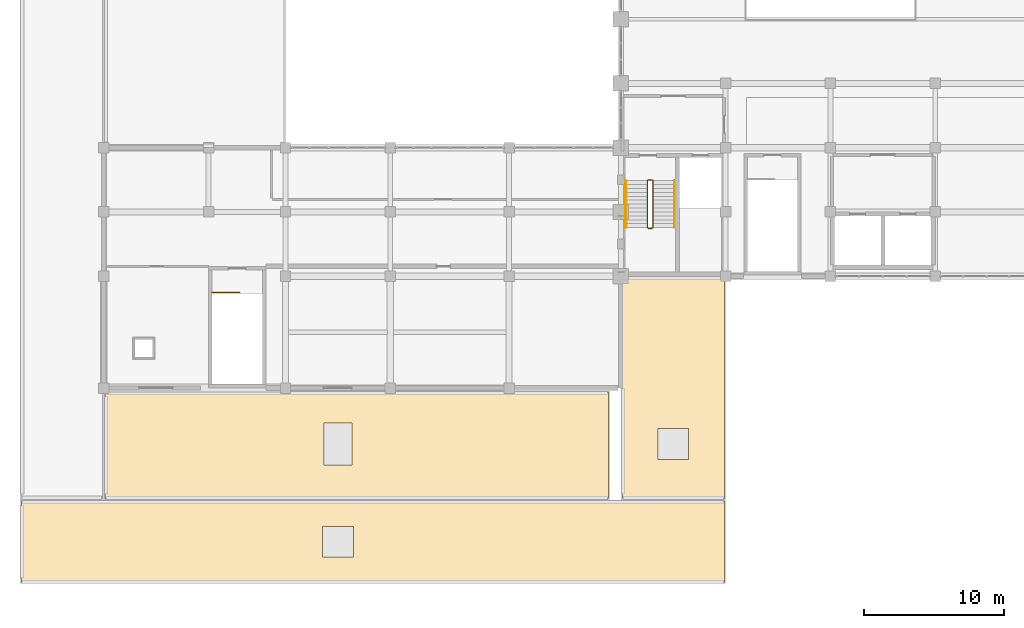
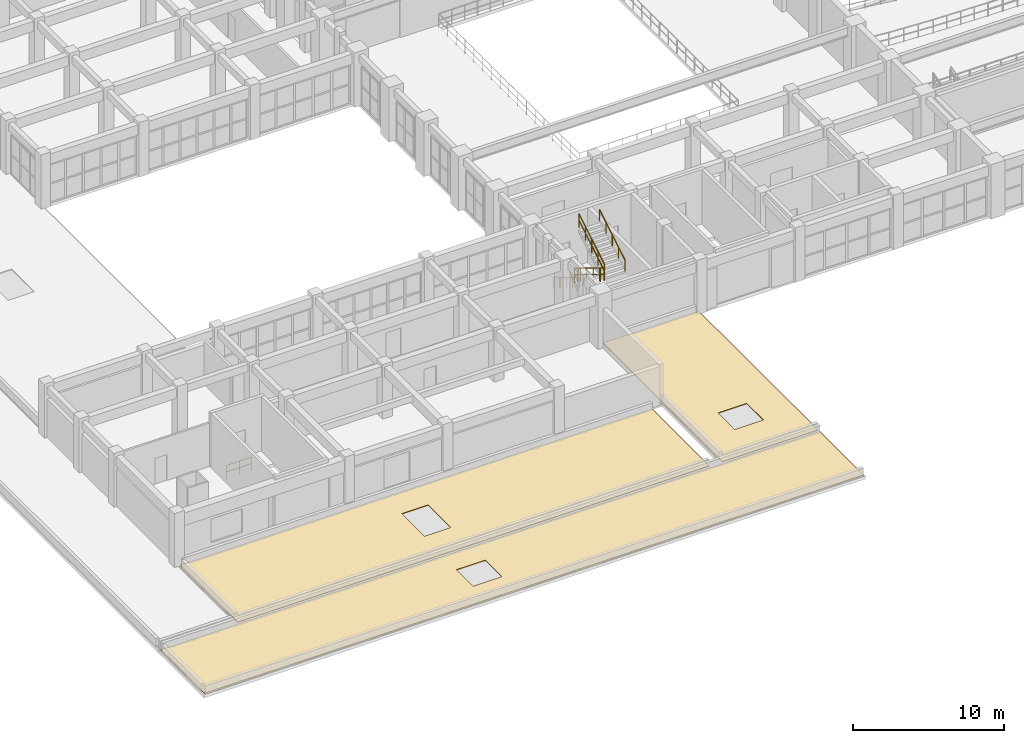
# One storey, part 82 of 90: 7 railings, 3 coverings.
"""IFC4 building model written with IfcOpenShell, lengths in metres."""

from ifc_helpers import new_model, si_unit, direction, frame, origin, origin_2d, place, context, subcontext, project, spatial, polyline, circle, outline, extrude, material, layer, layer_set, type_object, element, save


model = new_model("IFC4")

# Units and contexts
model_context = context("Model", 3, precision=1e-05, world=origin(), true_north=direction((0.0, 1.0)))
body_context = subcontext(model_context, "Body", "Model", "MODEL_VIEW")
ifc_project = project(units=[si_unit("LENGTHUNIT", "METRE"), si_unit("AREAUNIT", "SQUARE_METRE"), si_unit("VOLUMEUNIT", "CUBIC_METRE"), si_unit("PLANEANGLEUNIT", "RADIAN"), si_unit("MASSUNIT", "GRAM", prefix="KILO")], contexts=[model_context])

# Site, building, storey
site_placement = place(None, origin())
site = spatial("IfcSite", under=ifc_project, at=site_placement, CompositionType="ELEMENT")
building_placement = place(site_placement, origin())
building = spatial("IfcBuilding", under=site, at=building_placement, Name="Muzn Square Opera House", CompositionType="ELEMENT")
storey_placement = place(building_placement, frame((0.0, 0.0, 9.800048828125)))
storey = spatial("IfcBuildingStorey", under=building, at=storey_placement, Name="L02", CompositionType="ELEMENT", Elevation=9.800048828125)

# Coverings
ifc_material_1 = material(Name="Insulated roof membrane")
ifc_layer = layer(ifc_material_1, 0.050048828125, Name="Insulated roof membrane")
ifc_layer_set = layer_set([ifc_layer], Name="Insulated roof membrane")
covering_type = type_object("IfcCoveringType", Name="Insulated Flat Roof Membrane", PredefinedType="ROOFING", material=ifc_layer_set)
covering_1_placement = place(storey_placement, origin())
element("IfcCovering", 1, at=covering_1_placement, inside=storey, type_object=covering_type, Name="Flat Roof Membrane ROOF-L02-COL-WS", PredefinedType="ROOFING", context=body_context, shape_type="SweptSolid", body=[
    extrude(outline(polyline([(0.10009765625, 0.10009765625), (50.39990234375, 0.10009765625), (50.39990234375, 5.89990234375), (0.10009765625, 5.89990234375), (0.10009765625, 0.10009765625)]), holes=[polyline([(21.64990234375, 1.89990234375), (23.85009765625, 1.89990234375), (23.85009765625, 4.10009765625), (21.64990234375, 4.10009765625), (21.64990234375, 1.89990234375)])]), origin(), (0.0, 0.0, 1.0), 0.050048828125),
])
covering_2_placement = place(storey_placement, origin())
element("IfcCovering", 2, at=covering_2_placement, inside=storey, type_object=covering_type, Name="Flat Roof Membrane ROOF-L02-COL-WFC", PredefinedType="ROOFING", context=body_context, shape_type="SweptSolid", body=[
    extrude(outline(polyline([(43.10009765625, 6.10009765625), (50.39990234375, 6.10009765625), (50.39990234375, 21.89990234375), (43.10009765625, 21.89990234375), (43.10009765625, 6.10009765625)]), holes=[polyline([(45.64990234375, 8.89990234375), (47.85009765625, 8.89990234375), (47.85009765625, 11.10009765625), (45.64990234375, 11.10009765625), (45.64990234375, 8.89990234375)])]), origin(), (0.0, 0.0, 1.0), 0.050048828125),
])
covering_3_placement = place(storey_placement, origin())
element("IfcCovering", 3, at=covering_3_placement, inside=storey, type_object=covering_type, Name="Flat Roof Membrane ROOF-L02-WSSTEP", PredefinedType="ROOFING", context=body_context, shape_type="SweptSolid", body=[
    extrude(outline(polyline([(6.10009765625, 6.10009765625), (42.10009765625, 6.10009765625), (42.10009765625, 13.699951171875), (6.10009765625, 13.699951171875), (6.10009765625, 6.10009765625)]), holes=[polyline([(21.75, 8.5), (23.75, 8.5), (23.75, 11.5), (21.75, 11.5), (21.75, 8.5)])]), origin(), (0.0, 0.0, 1.0), 0.050048828125),
])

# Railings
ifc_material_2 = material(Name="Brushed stainless steel", Category="metal")
railing_type_1 = type_object("IfcRailingType", Name="Stair Guard Railing 1120mm", PredefinedType="GUARDRAIL", material=ifc_material_2)
railing_1_placement = place(storey_placement, frame((44.909912109375, 28.840087890625, 0.169189453125)))
element("IfcRailing", 4, at=railing_1_placement, inside=storey, type_object=railing_type_1, Name="L02 ST-3 stair guard 1", PredefinedType="GUARDRAIL", context=body_context, shape_type="SweptSolid", body=[
    extrude(circle(Radius=0.02392578125, at=origin_2d()), frame((0.0, 0.0, 1.076171875), z_axis=(0.0, -0.855836976705, 0.517245656632), x_axis=(1.0, 0.0, 0.0)), (0.0, 0.0, 1.0), 3.926025390625),
    extrude(circle(Radius=0.02392578125, at=origin_2d()), frame((0.0, 0.0, 0.550048828125), z_axis=(0.0, -0.855836976705, 0.517245656632), x_axis=(1.0, 0.0, 0.0)), (0.0, 0.0, 1.0), 3.926025390625),
    extrude(circle(Radius=0.02099609375, at=origin_2d()), origin(), (0.0, 0.0, 1.0), 1.052001953125),
    extrude(circle(Radius=0.02099609375, at=origin_2d()), frame((0.0, -0.840087890625, 0.5078125)), (0.0, 0.0, 1.0), 1.052001953125),
    extrude(circle(Radius=0.02099609375, at=origin_2d()), frame((0.0, -1.68017578125, 1.015380859375)), (0.0, 0.0, 1.0), 1.052001953125),
    extrude(circle(Radius=0.02099609375, at=origin_2d()), frame((0.0, -2.52001953125, 1.52294921875)), (0.0, 0.0, 1.0), 1.052001953125),
    extrude(circle(Radius=0.02099609375, at=origin_2d()), frame((0.0, -3.360107421875, 2.03076171875)), (0.0, 0.0, 1.0), 1.052001953125),
])
railing_2_placement = place(storey_placement, frame((44.9599609375, 25.429931640625, 2.199951171875)))
element("IfcRailing", 5, at=railing_2_placement, inside=storey, type_object=railing_type_1, Name="L02 ST-3 stair guard 2", PredefinedType="GUARDRAIL", context=body_context, shape_type="SweptSolid", body=[
    extrude(circle(Radius=0.02392578125, at=origin_2d()), frame((0.0, 0.0, 1.076171875), z_axis=(1.0, 0.0, 0.0), x_axis=(0.0, 1.0, 0.0)), (0.0, 0.0, 1.0), 0.280029296875),
    extrude(circle(Radius=0.02392578125, at=origin_2d()), frame((0.0, 0.0, 0.550048828125), z_axis=(1.0, 0.0, 0.0), x_axis=(0.0, 1.0, 0.0)), (0.0, 0.0, 1.0), 0.280029296875),
    extrude(circle(Radius=0.02099609375, at=origin_2d()), origin(), (0.0, 0.0, 1.0), 1.052001953125),
    extrude(circle(Radius=0.02099609375, at=origin_2d()), frame((0.280029296875, 0.0, 0.0)), (0.0, 0.0, 1.0), 1.052001953125),
])
railing_3_placement = place(storey_placement, frame((45.2900390625, 25.47998046875, 2.369140625)))
element("IfcRailing", 6, at=railing_3_placement, inside=storey, type_object=railing_type_1, Name="L02 ST-3 stair guard 3", PredefinedType="GUARDRAIL", context=body_context, shape_type="SweptSolid", body=[
    extrude(circle(Radius=0.02392578125, at=origin_2d()), frame((0.0, 0.0, 1.076171875), z_axis=(0.0, 0.855836976705, 0.517245656632), x_axis=(-1.0, 0.0, 0.0)), (0.0, 0.0, 1.0), 3.926025390625),
    extrude(circle(Radius=0.02392578125, at=origin_2d()), frame((0.0, 0.0, 0.550048828125), z_axis=(0.0, 0.855836976705, 0.517245656632), x_axis=(-1.0, 0.0, 0.0)), (0.0, 0.0, 1.0), 3.926025390625),
    extrude(circle(Radius=0.02099609375, at=origin_2d()), origin(), (0.0, 0.0, 1.0), 1.052001953125),
    extrude(circle(Radius=0.02099609375, at=origin_2d()), frame((0.0, 0.840087890625, 0.5078125)), (0.0, 0.0, 1.0), 1.052001953125),
    extrude(circle(Radius=0.02099609375, at=origin_2d()), frame((0.0, 1.68017578125, 1.015380859375)), (0.0, 0.0, 1.0), 1.052001953125),
    extrude(circle(Radius=0.02099609375, at=origin_2d()), frame((0.0, 2.52001953125, 1.52294921875)), (0.0, 0.0, 1.0), 1.052001953125),
    extrude(circle(Radius=0.02099609375, at=origin_2d()), frame((0.0, 3.360107421875, 2.03076171875)), (0.0, 0.0, 1.0), 1.052001953125),
])
railing_4_placement = place(storey_placement, frame((44.9599609375, 28.889892578125, 0.0)))
element("IfcRailing", 7, at=railing_4_placement, inside=storey, type_object=railing_type_1, Name="L02 ST-3 stair guard 4", PredefinedType="GUARDRAIL", context=body_context, shape_type="SweptSolid", body=[
    extrude(circle(Radius=0.02392578125, at=origin_2d()), frame((0.0, 0.0, 1.076171875), z_axis=(1.0, 0.0, 0.0), x_axis=(0.0, 1.0, 0.0)), (0.0, 0.0, 1.0), 0.280029296875),
    extrude(circle(Radius=0.02392578125, at=origin_2d()), frame((0.0, 0.0, 0.550048828125), z_axis=(1.0, 0.0, 0.0), x_axis=(0.0, 1.0, 0.0)), (0.0, 0.0, 1.0), 0.280029296875),
    extrude(circle(Radius=0.02099609375, at=origin_2d()), origin(), (0.0, 0.0, 1.0), 1.052001953125),
    extrude(circle(Radius=0.02099609375, at=origin_2d()), frame((0.280029296875, 0.0, 0.0)), (0.0, 0.0, 1.0), 1.052001953125),
])
railing_5_placement = place(storey_placement, frame((13.75, 20.840087890625, 0.0)))
element("IfcRailing", 8, at=railing_5_placement, inside=storey, type_object=railing_type_1, Name="L02 ST-7 top well guard 1", PredefinedType="GUARDRAIL", context=body_context, shape_type="SweptSolid", body=[
    extrude(circle(Radius=0.02392578125, at=origin_2d()), frame((0.0, 0.0, 1.076171875), z_axis=(1.0, 0.0, 0.0), x_axis=(0.0, 1.0, 0.0)), (0.0, 0.0, 1.0), 1.93994140625),
    extrude(circle(Radius=0.02392578125, at=origin_2d()), frame((0.0, 0.0, 0.550048828125), z_axis=(1.0, 0.0, 0.0), x_axis=(0.0, 1.0, 0.0)), (0.0, 0.0, 1.0), 1.93994140625),
    extrude(circle(Radius=0.02099609375, at=origin_2d()), origin(), (0.0, 0.0, 1.0), 1.052001953125),
    extrude(circle(Radius=0.02099609375, at=origin_2d()), frame((0.969970703125, 0.0, 0.0)), (0.0, 0.0, 1.0), 1.052001953125),
    extrude(circle(Radius=0.02099609375, at=origin_2d()), frame((1.93994140625, 0.0, 0.0)), (0.0, 0.0, 1.0), 1.052001953125),
])
railing_type_2 = type_object("IfcRailingType", Name="Stair Pitch Handrail 900mm", PredefinedType="HANDRAIL", material=ifc_material_2)
railing_6_placement = place(storey_placement, frame((43.35009765625, 28.840087890625, 0.169189453125)))
element("IfcRailing", 9, at=railing_6_placement, inside=storey, type_object=railing_type_2, Name="L02 ST-3 stair handrail 1", PredefinedType="HANDRAIL", context=body_context, shape_type="SweptSolid", body=[
    extrude(circle(Radius=0.02392578125, at=origin_2d()), frame((0.0, 0.0, 0.8759765625), z_axis=(0.0, -0.855836976705, 0.517245656632), x_axis=(1.0, 0.0, 0.0)), (0.0, 0.0, 1.0), 3.926025390625),
    extrude(circle(Radius=0.02099609375, at=origin_2d()), origin(), (0.0, 0.0, 1.0), 0.851806640625),
    extrude(circle(Radius=0.02099609375, at=origin_2d()), frame((0.0, -0.840087890625, 0.5078125)), (0.0, 0.0, 1.0), 0.851806640625),
    extrude(circle(Radius=0.02099609375, at=origin_2d()), frame((0.0, -1.68017578125, 1.015380859375)), (0.0, 0.0, 1.0), 0.851806640625),
    extrude(circle(Radius=0.02099609375, at=origin_2d()), frame((0.0, -2.52001953125, 1.52294921875)), (0.0, 0.0, 1.0), 0.851806640625),
    extrude(circle(Radius=0.02099609375, at=origin_2d()), frame((0.0, -3.360107421875, 2.03076171875)), (0.0, 0.0, 1.0), 0.851806640625),
])
railing_7_placement = place(storey_placement, frame((46.85009765625, 25.47998046875, 2.369140625)))
element("IfcRailing", 10, at=railing_7_placement, inside=storey, type_object=railing_type_2, Name="L02 ST-3 stair handrail 2", PredefinedType="HANDRAIL", context=body_context, shape_type="SweptSolid", body=[
    extrude(circle(Radius=0.02392578125, at=origin_2d()), frame((0.0, 0.0, 0.8759765625), z_axis=(0.0, 0.855836976705, 0.517245656632), x_axis=(-1.0, 0.0, 0.0)), (0.0, 0.0, 1.0), 3.926025390625),
    extrude(circle(Radius=0.02099609375, at=origin_2d()), origin(), (0.0, 0.0, 1.0), 0.851806640625),
    extrude(circle(Radius=0.02099609375, at=origin_2d()), frame((0.0, 0.840087890625, 0.5078125)), (0.0, 0.0, 1.0), 0.851806640625),
    extrude(circle(Radius=0.02099609375, at=origin_2d()), frame((0.0, 1.68017578125, 1.015380859375)), (0.0, 0.0, 1.0), 0.851806640625),
    extrude(circle(Radius=0.02099609375, at=origin_2d()), frame((0.0, 2.52001953125, 1.52294921875)), (0.0, 0.0, 1.0), 0.851806640625),
    extrude(circle(Radius=0.02099609375, at=origin_2d()), frame((0.0, 3.360107421875, 2.03076171875)), (0.0, 0.0, 1.0), 0.851806640625),
])

save(model, "model.ifc")
